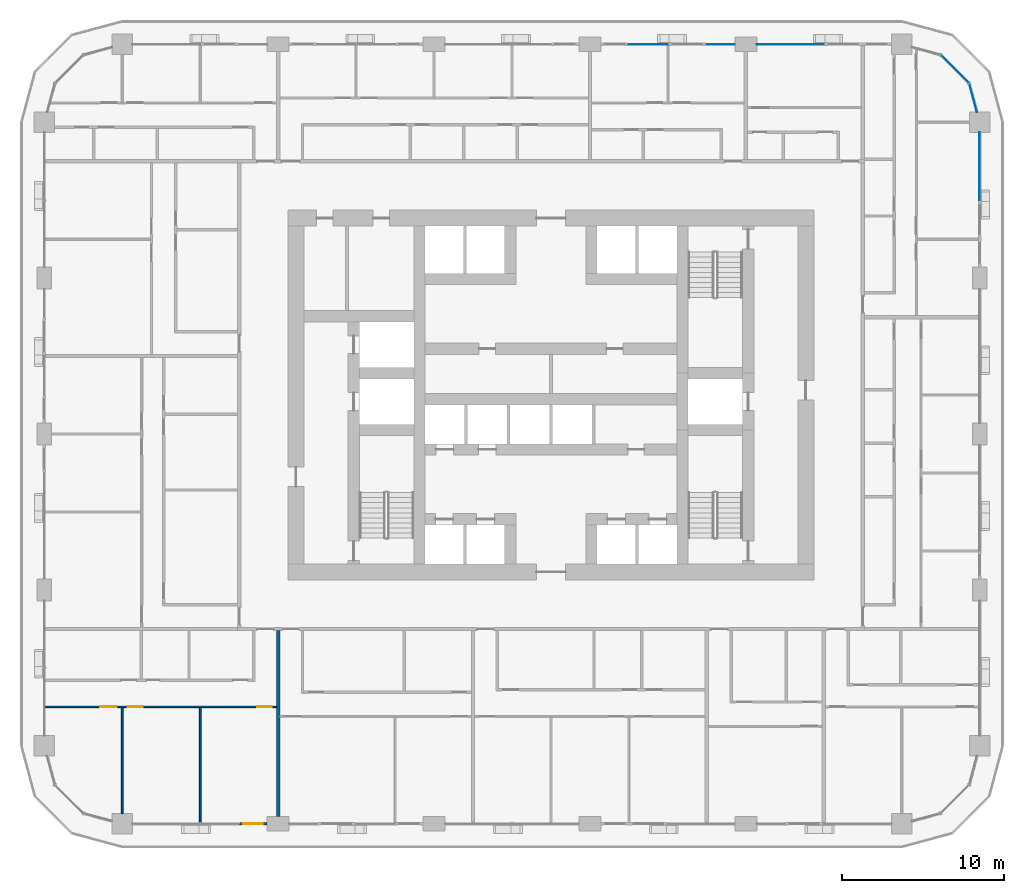
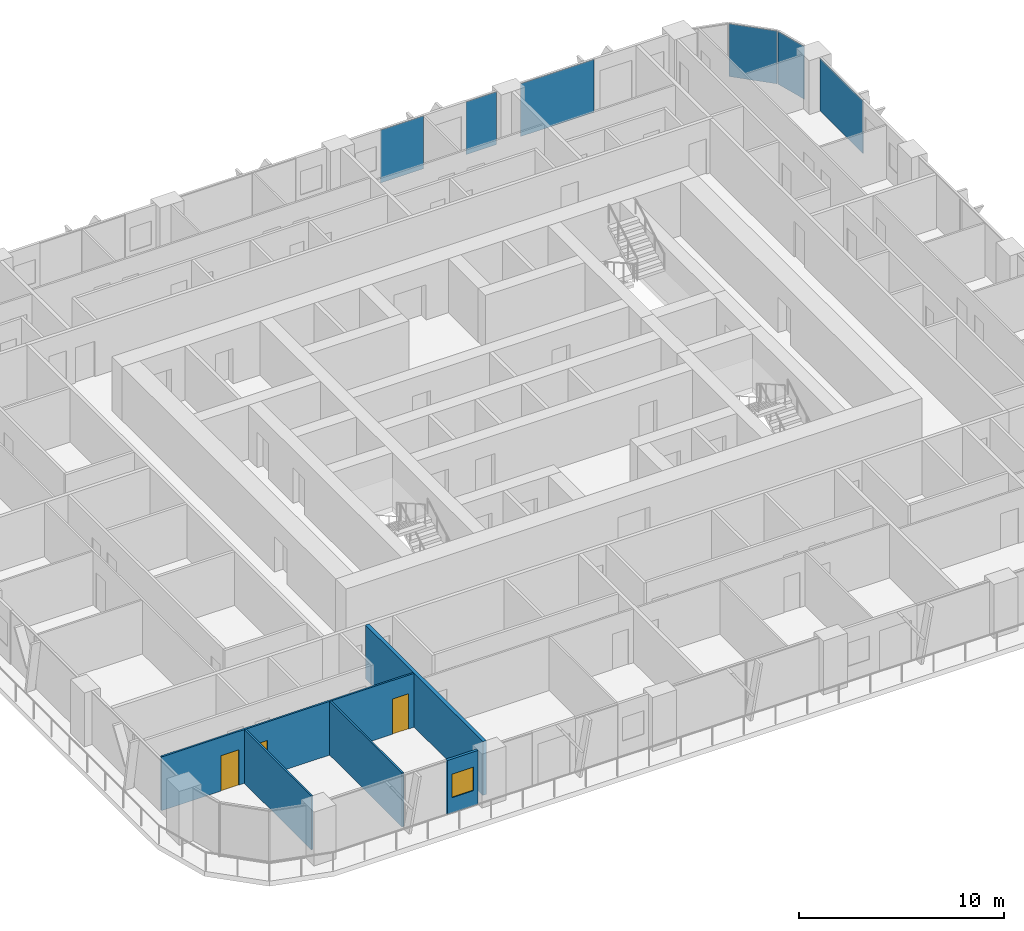
# One storey, part 8 of 21: 6 plates, 5 walls, 3 doors, 1 window, 4 openings, 4 elements without a shape of their own.
"""IFC4 building model written with IfcOpenShell, lengths in metres."""

from ifc_helpers import new_model, si_unit, direction, frame, frame_2d, origin, origin_2d, place, context, subcontext, project, spatial, rectangle, extrude, material, layer, layer_set, type_object, element, fill, aggregate, save


model = new_model("IFC4")

# Units and contexts
model_context = context("Model", 3, precision=1e-05, world=origin(), true_north=direction((0.0, 1.0)))
body_context = subcontext(model_context, "Body", "Model", "MODEL_VIEW")
ifc_project = project(units=[si_unit("LENGTHUNIT", "METRE"), si_unit("AREAUNIT", "SQUARE_METRE"), si_unit("VOLUMEUNIT", "CUBIC_METRE"), si_unit("PLANEANGLEUNIT", "RADIAN"), si_unit("MASSUNIT", "GRAM", prefix="KILO")], contexts=[model_context])

# Site, building, storey
site_placement = place(None, origin())
site = spatial("IfcSite", under=ifc_project, at=site_placement, CompositionType="ELEMENT")
building_placement = place(site_placement, origin())
building = spatial("IfcBuilding", under=site, at=building_placement, Name="Madar Terraces", CompositionType="ELEMENT")
storey_placement = place(building_placement, frame((0.0, 0.0, 29.39990234375)))
storey = spatial("IfcBuildingStorey", under=building, at=storey_placement, Name="L06", CompositionType="ELEMENT", Elevation=29.39990234375)

# Curtain wall, plate
ifc_material_1 = material(Name="Glass, ceramic frit dark grey, with black aluminium frame", Category="aluminium")
ifc_layer_1 = layer(ifc_material_1, 0.199951171875)
ifc_layer_set_1 = layer_set([ifc_layer_1], Name="Facade curtain wall, fritted glass")
curtain_wall_type = type_object("IfcCurtainWallType", Name="Facade curtain wall, fritted glass", PredefinedType="NOTDEFINED", material=ifc_layer_set_1)
curtain_wall_1_placement = place(storey_placement, origin())
curtain_wall_1 = element("IfcCurtainWall", 1, at=curtain_wall_1_placement, inside=storey, type_object=curtain_wall_type, Name="Outer skin curtain wall east bay 4", PredefinedType="NOTDEFINED")
ifc_material_2 = material(Name="Glass, ceramic frit dark grey", Category="glass")
ifc_layer_2 = layer(ifc_material_2, 0.028076171875)
ifc_layer_set_2 = layer_set([ifc_layer_2], Name="Facade glass panel 28")
plate_type = type_object("IfcPlateType", Name="Facade glass panel 28", PredefinedType="CURTAIN_PANEL", material=ifc_layer_set_2)
plate_1_placement = place(storey_placement, frame((57.60009765625, 40.487548828125, 0.0), z_axis=(0.0, 0.0, 1.0), x_axis=(0.0, 1.0, 0.0)))
plate_1 = element("IfcPlate", 2, at=plate_1_placement, type_object=plate_type, Name="Panel 1", PredefinedType="CURTAIN_PANEL", context=body_context, shape_type="SweptSolid", body=[
    extrude(rectangle(XDim=4.175048828125, YDim=0.028076171875, at=origin_2d()), origin(), (0.0, 0.0, 1.0), 3.139892578125),
])
aggregate(curtain_wall_1, [plate_1])

curtain_wall_2_placement = place(storey_placement, origin())
curtain_wall_2 = element("IfcCurtainWall", 3, at=curtain_wall_2_placement, inside=storey, type_object=curtain_wall_type, Name="Outer skin curtain wall north bay 1", PredefinedType="NOTDEFINED")
plate_2_placement = place(storey_placement, frame((45.9375, 48.0, 0.0), z_axis=(0.0, 0.0, 1.0), x_axis=(-1.0, 0.0, 0.0)))
plate_2 = element("IfcPlate", 4, at=plate_2_placement, type_object=plate_type, Name="Panel 1", PredefinedType="CURTAIN_PANEL", context=body_context, shape_type="SweptSolid", body=[
    extrude(rectangle(XDim=4.125, YDim=0.028076171875, at=origin_2d()), origin(), (0.0, 0.0, 1.0), 3.139892578125),
])
aggregate(curtain_wall_2, [plate_2])

# Curtain wall, plates
curtain_wall_3_placement = place(storey_placement, origin())
curtain_wall_3 = element("IfcCurtainWall", 5, at=curtain_wall_3_placement, inside=storey, type_object=curtain_wall_type, Name="Outer skin curtain wall north bay 2", PredefinedType="NOTDEFINED")
plate_3_placement = place(storey_placement, frame((41.66259765625, 48.0, 0.0), z_axis=(0.0, 0.0, 1.0), x_axis=(-1.0, 0.0, 0.0)))
plate_3 = element("IfcPlate", 6, at=plate_3_placement, type_object=plate_type, Name="Panel 1", PredefinedType="CURTAIN_PANEL", context=body_context, shape_type="SweptSolid", body=[
    extrude(rectangle(XDim=1.72509765625, YDim=0.028076171875, at=origin_2d()), origin(), (0.0, 0.0, 1.0), 3.139892578125),
])
plate_4_placement = place(storey_placement, frame((37.199951171875, 48.0, 0.0), z_axis=(0.0, 0.0, 1.0), x_axis=(-1.0, 0.0, 0.0)))
plate_4 = element("IfcPlate", 7, at=plate_4_placement, type_object=plate_type, Name="Panel 2", PredefinedType="CURTAIN_PANEL", context=body_context, shape_type="SweptSolid", body=[
    extrude(rectangle(XDim=2.39990234375, YDim=0.028076171875, at=origin_2d()), origin(), (0.0, 0.0, 1.0), 3.139892578125),
])
aggregate(curtain_wall_3, [plate_3, plate_4])

curtain_wall_4_placement = place(storey_placement, origin())
curtain_wall_4 = element("IfcCurtainWall", 8, at=curtain_wall_4_placement, inside=storey, type_object=curtain_wall_type, Name="Outer skin curtain wall north-east corner", PredefinedType="NOTDEFINED")
plate_5_placement = place(storey_placement, frame((57.19873046875, 44.697998046875, 0.0), z_axis=(0.0, 0.0, 1.0), x_axis=(-0.258819021888, 0.965925832509, 0.0)))
plate_5 = element("IfcPlate", 9, at=plate_5_placement, type_object=plate_type, Name="Panel 1", PredefinedType="CURTAIN_PANEL", context=body_context, shape_type="SweptSolid", body=[
    extrude(rectangle(XDim=1.8076171875, YDim=0.028076171875, at=origin_2d()), origin(), (0.0, 0.0, 1.0), 3.139892578125),
])
plate_6_placement = place(storey_placement, frame((56.078369140625, 46.478515625, 0.0), z_axis=(0.0, 0.0, 1.0), x_axis=(-0.707106781187, 0.707106781187, 0.0)))
plate_6 = element("IfcPlate", 10, at=plate_6_placement, type_object=plate_type, Name="Panel 2", PredefinedType="CURTAIN_PANEL", context=body_context, shape_type="SweptSolid", body=[
    extrude(rectangle(XDim=2.424560546875, YDim=0.028076171875, at=origin_2d()), origin(), (0.0, 0.0, 1.0), 3.139892578125),
])
aggregate(curtain_wall_4, [plate_5, plate_6])

# Wall, opening, window
ifc_material_3 = material(Name="Aluminium composite panel, black, over insulated backing", Category="aluminium")
ifc_layer_3 = layer(ifc_material_3, 0.14990234375)
ifc_layer_set_3 = layer_set([ifc_layer_3], Name="Facade bay panel 150")
wall_type_1 = type_object("IfcWallType", Name="Facade bay panel 150", PredefinedType="SOLIDWALL", material=ifc_layer_set_3)
wall_1_placement = place(storey_placement, frame((12.0, 0.0, 0.0), z_axis=(0.0, 0.0, 1.0), x_axis=(1.0, 0.0, 0.0)))
wall_1 = element("IfcWall", 11, at=wall_1_placement, inside=storey, type_object=wall_type_1, Name="Facade bay panel", PredefinedType="SOLIDWALL", context=body_context, shape_type="SweptSolid", body=[
    extrude(rectangle(XDim=1.72509765625, YDim=0.14990234375, at=frame_2d((0.862548828125, 0.0))), origin(), (0.0, 0.0, 1.0), 3.2001953125),
])
opening_1_placement = place(wall_1_placement, frame((0.262451171875, 0.0, 0.89990234375)))
opening_1 = element("IfcOpeningElement", 12, at=opening_1_placement, cuts=wall_1, Name="Opening W1", PredefinedType="OPENING", context=body_context, shape_type="SweptSolid", body=[
    extrude(rectangle(XDim=1.199951171875, YDim=1.39990234375, at=frame_2d((0.60009765625, 0.699951171875))), frame((0.0, 0.0849609375, 0.0), z_axis=(0.0, -1.0, 0.0), x_axis=(1.0, 0.0, 0.0)), (0.0, 0.0, 1.0), 0.169921875),
])
ifc_material_4 = material(Name="Glass, clear, with black aluminium frame", Category="aluminium")
window_type = type_object("IfcWindowType", Name="Vent window 1200 x 1400", PartitioningType="SINGLE_PANEL", PredefinedType="WINDOW", material=ifc_material_4)
window_placement = place(opening_1_placement, origin())
window = element("IfcWindow", 13, at=window_placement, inside=storey, type_object=window_type, Name="Operable vent window", OverallHeight=1.39990234375, OverallWidth=1.199951171875, PartitioningType="SINGLE_PANEL", PredefinedType="WINDOW", context=body_context, shape_type="SweptSolid", body=[
    extrude(rectangle(XDim=1.199951171875, YDim=1.39990234375, at=frame_2d((0.60009765625, 0.699951171875))), frame((0.0, 0.030029296875, 0.0), z_axis=(0.0, -1.0, 0.0), x_axis=(1.0, 0.0, 0.0)), (0.0, 0.0, 1.0), 0.06005859375),
])
fill(opening_1, window)

# Walls
ifc_material_5 = material(Name="Gypsum board on steel studs", Category="steel")
ifc_layer_4 = layer(ifc_material_5, 0.10009765625)
ifc_layer_set_4 = layer_set([ifc_layer_4], Name="Flat partition 100")
wall_type_2 = type_object("IfcWallType", Name="Flat partition 100", PredefinedType="PARTITIONING", material=ifc_layer_set_4)
wall_2_placement = place(storey_placement, frame((9.60009765625, 7.14990234375, 0.0), z_axis=(0.0, 0.0, 1.0), x_axis=(0.0, -1.0, 0.0)))
element("IfcWall", 14, at=wall_2_placement, inside=storey, type_object=wall_type_2, Name="Flat partition 100", PredefinedType="PARTITIONING", context=body_context, shape_type="SweptSolid", body=[
    extrude(rectangle(XDim=7.0498046875, YDim=0.10009765625, at=frame_2d((3.52490234375, 0.0))), origin(), (0.0, 0.0, 1.0), 3.2001953125),
])
wall_3_placement = place(storey_placement, frame((4.800048828125, 7.14990234375, 0.0), z_axis=(0.0, 0.0, 1.0), x_axis=(0.0, -1.0, 0.0)))
element("IfcWall", 15, at=wall_3_placement, inside=storey, type_object=wall_type_2, Name="Flat partition 100", PredefinedType="PARTITIONING", context=body_context, shape_type="SweptSolid", body=[
    extrude(rectangle(XDim=6.52490234375, YDim=0.10009765625, at=frame_2d((3.262451171875, 0.0))), origin(), (0.0, 0.0, 1.0), 3.2001953125),
])

# Wall, openings, doors
wall_4_placement = place(storey_placement, frame((14.300048828125, 7.199951171875, 0.0), z_axis=(0.0, 0.0, 1.0), x_axis=(-1.0, 0.0, 0.0)))
wall_4 = element("IfcWall", 16, at=wall_4_placement, inside=storey, type_object=wall_type_2, Name="Flat partition 100", PredefinedType="PARTITIONING", context=body_context, shape_type="SweptSolid", body=[
    extrude(rectangle(XDim=14.199951171875, YDim=0.10009765625, at=frame_2d((7.10009765625, 0.0))), origin(), (0.0, 0.0, 1.0), 3.2001953125),
])
opening_2_placement = place(wall_4_placement, frame((0.300048828125, 0.0, 0.0)))
opening_2 = element("IfcOpeningElement", 17, at=opening_2_placement, cuts=wall_4, Name="Opening D2", PredefinedType="OPENING", context=body_context, shape_type="SweptSolid", body=[
    extrude(rectangle(XDim=0.89990234375, YDim=2.10009765625, at=frame_2d((0.449951171875, 1.050048828125))), frame((0.0, 0.06005859375, 0.0), z_axis=(0.0, -1.0, 0.0), x_axis=(1.0, 0.0, 0.0)), (0.0, 0.0, 1.0), 0.1201171875),
])
opening_3_placement = place(wall_4_placement, frame((8.25, 0.0, 0.0)))
opening_3 = element("IfcOpeningElement", 18, at=opening_3_placement, cuts=wall_4, Name="Opening D2", PredefinedType="OPENING", context=body_context, shape_type="SweptSolid", body=[
    extrude(rectangle(XDim=0.89990234375, YDim=2.10009765625, at=frame_2d((0.449951171875, 1.050048828125))), frame((0.0, 0.06005859375, 0.0), z_axis=(0.0, -1.0, 0.0), x_axis=(1.0, 0.0, 0.0)), (0.0, 0.0, 1.0), 0.1201171875),
])
opening_4_placement = place(wall_4_placement, frame((9.85009765625, 0.0, 0.0)))
opening_4 = element("IfcOpeningElement", 19, at=opening_4_placement, cuts=wall_4, Name="Opening D3", PredefinedType="OPENING", context=body_context, shape_type="SweptSolid", body=[
    extrude(rectangle(XDim=1.0, YDim=2.10009765625, at=frame_2d((0.5, 1.050048828125))), frame((0.0, 0.06005859375, 0.0), z_axis=(0.0, -1.0, 0.0), x_axis=(1.0, 0.0, 0.0)), (0.0, 0.0, 1.0), 0.1201171875),
])
ifc_material_6 = material(Name="Timber door leaf", Category="wood")
door_type_1 = type_object("IfcDoorType", Name="Flat living room door 1000", OperationType="NOTDEFINED", PredefinedType="DOOR", material=ifc_material_6)
door_1_placement = place(opening_4_placement, origin())
door_1 = element("IfcDoor", 20, at=door_1_placement, inside=storey, type_object=door_type_1, Name="Flat living room door 1000", OperationType="SINGLE_SWING_LEFT", OverallHeight=2.10009765625, OverallWidth=1.0, PredefinedType="DOOR", context=body_context, shape_type="SweptSolid", body=[
    extrude(rectangle(XDim=1.0, YDim=2.10009765625, at=frame_2d((0.5, 1.050048828125))), frame((0.0, 0.02490234375, 0.0), z_axis=(0.0, -1.0, 0.0), x_axis=(1.0, 0.0, 0.0)), (0.0, 0.0, 1.0), 0.050048828125),
])
fill(opening_4, door_1)
ifc_material_7 = material(Name="Timber door leaf", Category="wood")
door_type_2 = type_object("IfcDoorType", Name="Flat room door 900", OperationType="NOTDEFINED", PredefinedType="DOOR", material=ifc_material_7)
door_2_placement = place(opening_2_placement, origin())
door_2 = element("IfcDoor", 21, at=door_2_placement, inside=storey, type_object=door_type_2, Name="Flat room door 900", OperationType="SINGLE_SWING_LEFT", OverallHeight=2.10009765625, OverallWidth=0.89990234375, PredefinedType="DOOR", context=body_context, shape_type="SweptSolid", body=[
    extrude(rectangle(XDim=0.89990234375, YDim=2.10009765625, at=frame_2d((0.449951171875, 1.050048828125))), frame((0.0, 0.02490234375, 0.0), z_axis=(0.0, -1.0, 0.0), x_axis=(1.0, 0.0, 0.0)), (0.0, 0.0, 1.0), 0.050048828125),
])
fill(opening_2, door_2)
door_3_placement = place(opening_3_placement, origin())
door_3 = element("IfcDoor", 22, at=door_3_placement, inside=storey, type_object=door_type_2, Name="Flat room door 900", OperationType="SINGLE_SWING_RIGHT", OverallHeight=2.10009765625, OverallWidth=0.89990234375, PredefinedType="DOOR", context=body_context, shape_type="SweptSolid", body=[
    extrude(rectangle(XDim=0.89990234375, YDim=2.10009765625, at=frame_2d((0.449951171875, 1.050048828125))), frame((0.0, 0.02490234375, 0.0), z_axis=(0.0, -1.0, 0.0), x_axis=(1.0, 0.0, 0.0)), (0.0, 0.0, 1.0), 0.050048828125),
])
fill(opening_3, door_3)

# Wall
ifc_material_8 = material(Name="Lightweight blockwork", Category="masonry")
ifc_layer_5 = layer(ifc_material_8, 0.199951171875)
ifc_layer_set_5 = layer_set([ifc_layer_5], Name="Flat party and entrance wall 200")
wall_type_3 = type_object("IfcWallType", Name="Flat party and entrance wall 200", PredefinedType="PARTITIONING", material=ifc_layer_set_5)
wall_5_placement = place(storey_placement, frame((14.39990234375, 11.89990234375, 0.0), z_axis=(0.0, 0.0, 1.0), x_axis=(0.0, -1.0, 0.0)))
element("IfcWall", 23, at=wall_5_placement, inside=storey, type_object=wall_type_3, Name="Flat party and entrance wall 200", PredefinedType="PARTITIONING", context=body_context, shape_type="SweptSolid", body=[
    extrude(rectangle(XDim=11.449951171875, YDim=0.199951171875, at=frame_2d((5.72509765625, 0.0))), origin(), (0.0, 0.0, 1.0), 3.2001953125),
])

save(model, "model.ifc")
